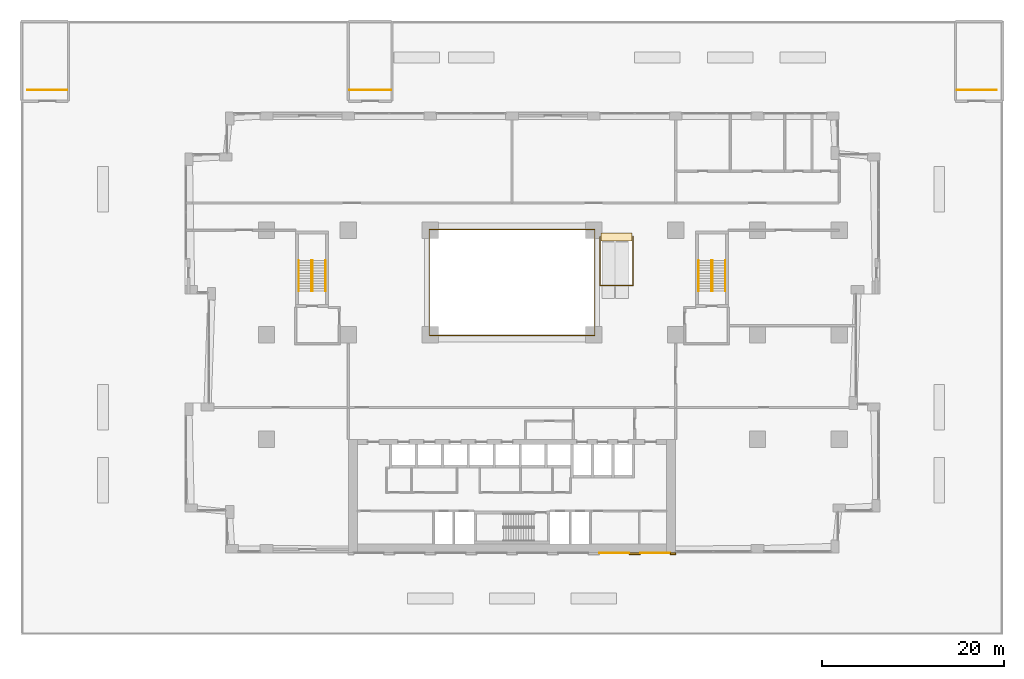
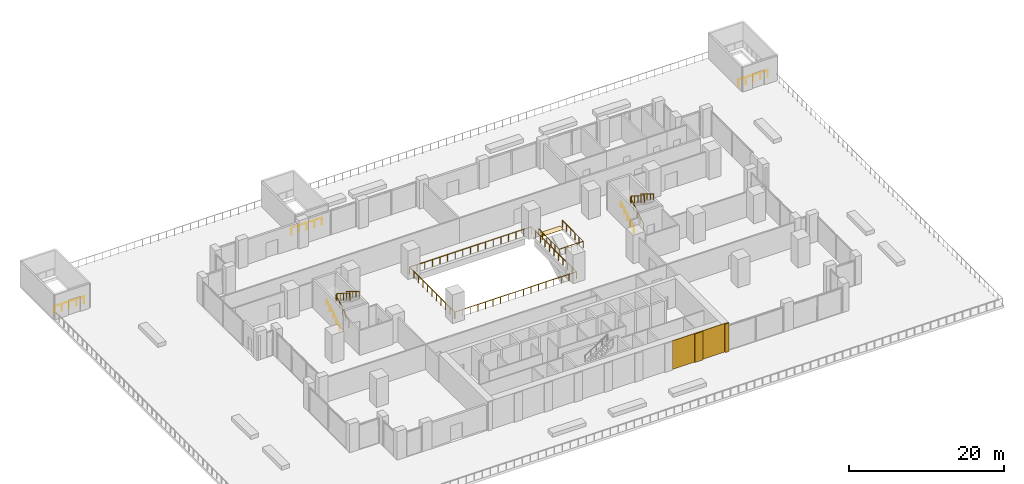
# One storey, part 18 of 19: 11 railings, 5 coverings.
"""IFC4 building model written with IfcOpenShell, lengths in metres."""

from ifc_helpers import new_model, si_unit, direction, frame, origin, origin_2d, place, context, subcontext, project, spatial, polyline, rectangle, circle, outline, extrude, material, layer, layer_set, type_object, element, save


model = new_model("IFC4")

# Units and contexts
model_context = context("Model", 3, precision=1e-05, world=origin(), true_north=direction((0.0, 1.0)))
body_context = subcontext(model_context, "Body", "Model", "MODEL_VIEW")
ifc_project = project(units=[si_unit("LENGTHUNIT", "METRE"), si_unit("AREAUNIT", "SQUARE_METRE"), si_unit("VOLUMEUNIT", "CUBIC_METRE"), si_unit("PLANEANGLEUNIT", "RADIAN"), si_unit("MASSUNIT", "GRAM", prefix="KILO")], contexts=[model_context])

# Site, building, storey
site_placement = place(None, origin())
site = spatial("IfcSite", under=ifc_project, at=site_placement, CompositionType="ELEMENT")
building_placement = place(site_placement, origin())
building = spatial("IfcBuilding", under=site, at=building_placement, Name="Brigalow Station Residences", CompositionType="ELEMENT")
storey_placement = place(building_placement, frame((0.0, 0.0, 11.0)))
storey = spatial("IfcBuildingStorey", under=building, at=storey_placement, Name="L02", CompositionType="ELEMENT", Elevation=11.0)

# Coverings
ifc_material_1 = material(Name="Clay brick masonry", Category="masonry")
ifc_layer_1 = layer(ifc_material_1, 0.06005859375)
ifc_layer_set_1 = layer_set([ifc_layer_1], Name="BRICK PANEL FACING 60")
covering_type_1 = type_object("IfcCoveringType", Name="BRICK PANEL FACING 60", PredefinedType="CLADDING", material=ifc_layer_set_1)
for number, where, z_axis, x_axis, name in (
    (1, (47.25, -0.030029296875, 0.0), (0.0, 0.0, 1.0), (1.0, 0.0, 0.0), "L02/rear-facing/panel-7"),
    (2, (51.75, -0.030029296875, 0.0), (0.0, 0.0, 1.0), (1.0, 0.0, 0.0), "L02/rear-facing/panel-8"),
):
    element("IfcCovering", number, at=place(storey_placement, frame(where, z_axis=z_axis, x_axis=x_axis)), inside=storey, type_object=covering_type_1, Name=name, PredefinedType="CLADDING", context=body_context, shape_type="SweptSolid", body=[
        extrude(rectangle(XDim=3.300048828125, YDim=0.06005859375, at=origin_2d()), origin(), (0.0, 0.0, 1.0), 4.5),
    ])
ifc_material_2 = material(Name="Clay brick masonry", Category="masonry")
ifc_layer_2 = layer(ifc_material_2, 0.199951171875)
ifc_layer_set_2 = layer_set([ifc_layer_2], Name="BRICK PIER FACING 200")
covering_type_2 = type_object("IfcCoveringType", Name="BRICK PIER FACING 200", PredefinedType="CLADDING", material=ifc_layer_set_2)
covering_1_placement = place(storey_placement, frame((49.5, -0.10009765625, 0.0), z_axis=(0.0, 0.0, 1.0), x_axis=(1.0, 0.0, 0.0)))
element("IfcCovering", 3, at=covering_1_placement, inside=storey, type_object=covering_type_2, Name="L02/rear-facing/pier-8", PredefinedType="CLADDING", context=body_context, shape_type="SweptSolid", body=[
    extrude(rectangle(XDim=1.199951171875, YDim=0.199951171875, at=origin_2d()), origin(), (0.0, 0.0, 1.0), 4.5),
])
covering_2_placement = place(storey_placement, frame((53.699951171875, -0.10009765625, 0.0), z_axis=(0.0, 0.0, 1.0), x_axis=(1.0, 0.0, 0.0)))
element("IfcCovering", 4, at=covering_2_placement, inside=storey, type_object=covering_type_2, Name="L02/rear-facing/pier-9", PredefinedType="CLADDING", context=body_context, shape_type="SweptSolid", body=[
    extrude(rectangle(XDim=0.60009765625, YDim=0.199951171875, at=origin_2d()), origin(), (0.0, 0.0, 1.0), 4.5),
])
ifc_material_3 = material(Name="Aluminium ribbed floor plate", Category="aluminium")
ifc_layer_3 = layer(ifc_material_3, 0.030029296875)
ifc_layer_set_3 = layer_set([ifc_layer_3], Name="ESCALATOR LANDING PLATE")
covering_type_3 = type_object("IfcCoveringType", Name="ESCALATOR LANDING PLATE", PredefinedType="FLOORING", material=ifc_layer_set_3)
covering_3_placement = place(storey_placement, origin())
element("IfcCovering", 5, at=covering_3_placement, inside=storey, type_object=covering_type_3, Name="Escalator landing plate", PredefinedType="FLOORING", context=body_context, shape_type="SweptSolid", body=[
    extrude(outline(polyline([(45.800048828125, 34.300048828125), (49.199951171875, 34.300048828125), (49.199951171875, 35.199951171875), (45.800048828125, 35.199951171875), (45.800048828125, 34.300048828125)])), origin(), (0.0, 0.0, 1.0), 0.030029296875),
])

# Railings
ifc_material_4 = material(Name="Stainless steel and toughened glass", Category="steel")
railing_type_1 = type_object("IfcRailingType", Name="GUARD 1100", PredefinedType="GUARDRAIL", material=ifc_material_4)
railing_1_placement = place(storey_placement, frame((45.699951171875, 34.800048828125, 0.0)))
element("IfcRailing", 6, at=railing_1_placement, inside=storey, type_object=railing_type_1, Name="Escalator well AM guard", PredefinedType="GUARDRAIL", context=body_context, shape_type="SweptSolid", body=[
    extrude(circle(Radius=0.02392578125, at=origin_2d()), frame((0.0, 0.0, 1.076171875), z_axis=(0.0, -1.0, 0.0), x_axis=(1.0, 0.0, 0.0)), (0.0, 0.0, 1.0), 5.380126953125),
    extrude(circle(Radius=0.02392578125, at=origin_2d()), frame((0.0, -5.380126953125, 1.076171875), z_axis=(1.0, 0.0, 0.0), x_axis=(0.0, 1.0, 0.0)), (0.0, 0.0, 1.0), 3.60009765625),
    extrude(circle(Radius=0.02392578125, at=origin_2d()), frame((3.60009765625, -5.380126953125, 1.076171875), z_axis=(0.0, 1.0, 0.0), x_axis=(-1.0, 0.0, 0.0)), (0.0, 0.0, 1.0), 5.380126953125),
    extrude(circle(Radius=0.02099609375, at=origin_2d()), origin(), (0.0, 0.0, 1.0), 1.052001953125),
    extrude(circle(Radius=0.02099609375, at=origin_2d()), frame((0.0, -1.075927734375, 0.0)), (0.0, 0.0, 1.0), 1.052001953125),
    extrude(circle(Radius=0.02099609375, at=origin_2d()), frame((0.0, -2.152099609375, 0.0)), (0.0, 0.0, 1.0), 1.052001953125),
    extrude(circle(Radius=0.02099609375, at=origin_2d()), frame((0.0, -3.22802734375, 0.0)), (0.0, 0.0, 1.0), 1.052001953125),
    extrude(circle(Radius=0.02099609375, at=origin_2d()), frame((0.0, -4.30419921875, 0.0)), (0.0, 0.0, 1.0), 1.052001953125),
    extrude(circle(Radius=0.02099609375, at=origin_2d()), frame((0.0, -5.380126953125, 0.0)), (0.0, 0.0, 1.0), 1.052001953125),
    extrude(circle(Radius=0.02099609375, at=origin_2d()), frame((0.89990234375, -5.380126953125, 0.0)), (0.0, 0.0, 1.0), 1.052001953125),
    extrude(circle(Radius=0.02099609375, at=origin_2d()), frame((1.800048828125, -5.380126953125, 0.0)), (0.0, 0.0, 1.0), 1.052001953125),
    extrude(circle(Radius=0.02099609375, at=origin_2d()), frame((2.7001953125, -5.380126953125, 0.0)), (0.0, 0.0, 1.0), 1.052001953125),
    extrude(circle(Radius=0.02099609375, at=origin_2d()), frame((3.60009765625, -5.380126953125, 0.0)), (0.0, 0.0, 1.0), 1.052001953125),
    extrude(circle(Radius=0.02099609375, at=origin_2d()), frame((3.60009765625, -4.30419921875, 0.0)), (0.0, 0.0, 1.0), 1.052001953125),
    extrude(circle(Radius=0.02099609375, at=origin_2d()), frame((3.60009765625, -3.22802734375, 0.0)), (0.0, 0.0, 1.0), 1.052001953125),
    extrude(circle(Radius=0.02099609375, at=origin_2d()), frame((3.60009765625, -2.152099609375, 0.0)), (0.0, 0.0, 1.0), 1.052001953125),
    extrude(circle(Radius=0.02099609375, at=origin_2d()), frame((3.60009765625, -1.075927734375, 0.0)), (0.0, 0.0, 1.0), 1.052001953125),
    extrude(circle(Radius=0.02099609375, at=origin_2d()), frame((3.60009765625, 0.0, 0.0)), (0.0, 0.0, 1.0), 1.052001953125),
])
railing_2_placement = place(storey_placement, frame((26.9599609375, 23.89990234375, 0.0)))
element("IfcRailing", 7, at=railing_2_placement, inside=storey, type_object=railing_type_1, Name="Atrium void guard", PredefinedType="GUARDRAIL", context=body_context, shape_type="SweptSolid", body=[
    extrude(circle(Radius=0.02392578125, at=origin_2d()), frame((0.0, 0.0, 1.076171875), z_axis=(1.0, 0.0, 0.0), x_axis=(0.0, 1.0, 0.0)), (0.0, 0.0, 1.0), 18.14013671875),
    extrude(circle(Radius=0.02392578125, at=origin_2d()), frame((18.14013671875, 0.0, 1.076171875), z_axis=(0.0, 1.0, 0.0), x_axis=(-1.0, 0.0, 0.0)), (0.0, 0.0, 1.0), 11.7001953125),
    extrude(circle(Radius=0.02392578125, at=origin_2d()), frame((18.14013671875, 11.7001953125, 1.076171875), z_axis=(-1.0, 0.0, 0.0), x_axis=(0.0, -1.0, 0.0)), (0.0, 0.0, 1.0), 18.2001953125),
    extrude(circle(Radius=0.02392578125, at=origin_2d()), frame((-0.06005859375, 11.7001953125, 1.076171875), z_axis=(0.0, -1.0, 0.0), x_axis=(1.0, 0.0, 0.0)), (0.0, 0.0, 1.0), 11.64013671875),
    extrude(circle(Radius=0.02099609375, at=origin_2d()), origin(), (0.0, 0.0, 1.0), 1.052001953125),
    extrude(circle(Radius=0.02099609375, at=origin_2d()), frame((1.1337890625, 0.0, 0.0)), (0.0, 0.0, 1.0), 1.052001953125),
    extrude(circle(Radius=0.02099609375, at=origin_2d()), frame((2.267578125, 0.0, 0.0)), (0.0, 0.0, 1.0), 1.052001953125),
    extrude(circle(Radius=0.02099609375, at=origin_2d()), frame((3.4013671875, 0.0, 0.0)), (0.0, 0.0, 1.0), 1.052001953125),
    extrude(circle(Radius=0.02099609375, at=origin_2d()), frame((4.53515625, 0.0, 0.0)), (0.0, 0.0, 1.0), 1.052001953125),
    extrude(circle(Radius=0.02099609375, at=origin_2d()), frame((5.668701171875, 0.0, 0.0)), (0.0, 0.0, 1.0), 1.052001953125),
    extrude(circle(Radius=0.02099609375, at=origin_2d()), frame((6.802490234375, 0.0, 0.0)), (0.0, 0.0, 1.0), 1.052001953125),
    extrude(circle(Radius=0.02099609375, at=origin_2d()), frame((7.936279296875, 0.0, 0.0)), (0.0, 0.0, 1.0), 1.052001953125),
    extrude(circle(Radius=0.02099609375, at=origin_2d()), frame((9.070068359375, 0.0, 0.0)), (0.0, 0.0, 1.0), 1.052001953125),
    extrude(circle(Radius=0.02099609375, at=origin_2d()), frame((10.203857421875, 0.0, 0.0)), (0.0, 0.0, 1.0), 1.052001953125),
    extrude(circle(Radius=0.02099609375, at=origin_2d()), frame((11.337646484375, 0.0, 0.0)), (0.0, 0.0, 1.0), 1.052001953125),
    extrude(circle(Radius=0.02099609375, at=origin_2d()), frame((12.471435546875, 0.0, 0.0)), (0.0, 0.0, 1.0), 1.052001953125),
    extrude(circle(Radius=0.02099609375, at=origin_2d()), frame((13.60498046875, 0.0, 0.0)), (0.0, 0.0, 1.0), 1.052001953125),
    extrude(circle(Radius=0.02099609375, at=origin_2d()), frame((14.73876953125, 0.0, 0.0)), (0.0, 0.0, 1.0), 1.052001953125),
    extrude(circle(Radius=0.02099609375, at=origin_2d()), frame((15.87255859375, 0.0, 0.0)), (0.0, 0.0, 1.0), 1.052001953125),
    extrude(circle(Radius=0.02099609375, at=origin_2d()), frame((17.00634765625, 0.0, 0.0)), (0.0, 0.0, 1.0), 1.052001953125),
    extrude(circle(Radius=0.02099609375, at=origin_2d()), frame((18.14013671875, 0.0, 0.0)), (0.0, 0.0, 1.0), 1.052001953125),
    extrude(circle(Radius=0.02099609375, at=origin_2d()), frame((18.14013671875, 1.169921875, 0.0)), (0.0, 0.0, 1.0), 1.052001953125),
    extrude(circle(Radius=0.02099609375, at=origin_2d()), frame((18.14013671875, 2.340087890625, 0.0)), (0.0, 0.0, 1.0), 1.052001953125),
    extrude(circle(Radius=0.02099609375, at=origin_2d()), frame((18.14013671875, 3.510009765625, 0.0)), (0.0, 0.0, 1.0), 1.052001953125),
    extrude(circle(Radius=0.02099609375, at=origin_2d()), frame((18.14013671875, 4.68017578125, 0.0)), (0.0, 0.0, 1.0), 1.052001953125),
    extrude(circle(Radius=0.02099609375, at=origin_2d()), frame((18.14013671875, 5.85009765625, 0.0)), (0.0, 0.0, 1.0), 1.052001953125),
    extrude(circle(Radius=0.02099609375, at=origin_2d()), frame((18.14013671875, 7.02001953125, 0.0)), (0.0, 0.0, 1.0), 1.052001953125),
    extrude(circle(Radius=0.02099609375, at=origin_2d()), frame((18.14013671875, 8.190185546875, 0.0)), (0.0, 0.0, 1.0), 1.052001953125),
    extrude(circle(Radius=0.02099609375, at=origin_2d()), frame((18.14013671875, 9.360107421875, 0.0)), (0.0, 0.0, 1.0), 1.052001953125),
    extrude(circle(Radius=0.02099609375, at=origin_2d()), frame((18.14013671875, 10.5302734375, 0.0)), (0.0, 0.0, 1.0), 1.052001953125),
    extrude(circle(Radius=0.02099609375, at=origin_2d()), frame((18.14013671875, 11.7001953125, 0.0)), (0.0, 0.0, 1.0), 1.052001953125),
    extrude(circle(Radius=0.02099609375, at=origin_2d()), frame((17.002685546875, 11.7001953125, 0.0)), (0.0, 0.0, 1.0), 1.052001953125),
    extrude(circle(Radius=0.02099609375, at=origin_2d()), frame((15.865234375, 11.7001953125, 0.0)), (0.0, 0.0, 1.0), 1.052001953125),
    extrude(circle(Radius=0.02099609375, at=origin_2d()), frame((14.7275390625, 11.7001953125, 0.0)), (0.0, 0.0, 1.0), 1.052001953125),
    extrude(circle(Radius=0.02099609375, at=origin_2d()), frame((13.590087890625, 11.7001953125, 0.0)), (0.0, 0.0, 1.0), 1.052001953125),
    extrude(circle(Radius=0.02099609375, at=origin_2d()), frame((12.45263671875, 11.7001953125, 0.0)), (0.0, 0.0, 1.0), 1.052001953125),
    extrude(circle(Radius=0.02099609375, at=origin_2d()), frame((11.31494140625, 11.7001953125, 0.0)), (0.0, 0.0, 1.0), 1.052001953125),
    extrude(circle(Radius=0.02099609375, at=origin_2d()), frame((10.177490234375, 11.7001953125, 0.0)), (0.0, 0.0, 1.0), 1.052001953125),
    extrude(circle(Radius=0.02099609375, at=origin_2d()), frame((9.0400390625, 11.7001953125, 0.0)), (0.0, 0.0, 1.0), 1.052001953125),
    extrude(circle(Radius=0.02099609375, at=origin_2d()), frame((7.902587890625, 11.7001953125, 0.0)), (0.0, 0.0, 1.0), 1.052001953125),
    extrude(circle(Radius=0.02099609375, at=origin_2d()), frame((6.76513671875, 11.7001953125, 0.0)), (0.0, 0.0, 1.0), 1.052001953125),
    extrude(circle(Radius=0.02099609375, at=origin_2d()), frame((5.62744140625, 11.7001953125, 0.0)), (0.0, 0.0, 1.0), 1.052001953125),
    extrude(circle(Radius=0.02099609375, at=origin_2d()), frame((4.489990234375, 11.7001953125, 0.0)), (0.0, 0.0, 1.0), 1.052001953125),
    extrude(circle(Radius=0.02099609375, at=origin_2d()), frame((3.3525390625, 11.7001953125, 0.0)), (0.0, 0.0, 1.0), 1.052001953125),
    extrude(circle(Radius=0.02099609375, at=origin_2d()), frame((2.21484375, 11.7001953125, 0.0)), (0.0, 0.0, 1.0), 1.052001953125),
    extrude(circle(Radius=0.02099609375, at=origin_2d()), frame((1.077392578125, 11.7001953125, 0.0)), (0.0, 0.0, 1.0), 1.052001953125),
    extrude(circle(Radius=0.02099609375, at=origin_2d()), frame((-0.06005859375, 11.7001953125, 0.0)), (0.0, 0.0, 1.0), 1.052001953125),
    extrude(circle(Radius=0.02099609375, at=origin_2d()), frame((-0.06005859375, 10.5361328125, 0.0)), (0.0, 0.0, 1.0), 1.052001953125),
    extrude(circle(Radius=0.02099609375, at=origin_2d()), frame((-0.06005859375, 9.3720703125, 0.0)), (0.0, 0.0, 1.0), 1.052001953125),
    extrude(circle(Radius=0.02099609375, at=origin_2d()), frame((-0.06005859375, 8.208251953125, 0.0)), (0.0, 0.0, 1.0), 1.052001953125),
    extrude(circle(Radius=0.02099609375, at=origin_2d()), frame((-0.06005859375, 7.044189453125, 0.0)), (0.0, 0.0, 1.0), 1.052001953125),
    extrude(circle(Radius=0.02099609375, at=origin_2d()), frame((-0.06005859375, 5.880126953125, 0.0)), (0.0, 0.0, 1.0), 1.052001953125),
    extrude(circle(Radius=0.02099609375, at=origin_2d()), frame((-0.06005859375, 4.716064453125, 0.0)), (0.0, 0.0, 1.0), 1.052001953125),
    extrude(circle(Radius=0.02099609375, at=origin_2d()), frame((-0.06005859375, 3.552001953125, 0.0)), (0.0, 0.0, 1.0), 1.052001953125),
    extrude(circle(Radius=0.02099609375, at=origin_2d()), frame((-0.06005859375, 2.38818359375, 0.0)), (0.0, 0.0, 1.0), 1.052001953125),
    extrude(circle(Radius=0.02099609375, at=origin_2d()), frame((-0.06005859375, 1.22412109375, 0.0)), (0.0, 0.0, 1.0), 1.052001953125),
    extrude(circle(Radius=0.02099609375, at=origin_2d()), frame((-0.06005859375, 0.06005859375, 0.0)), (0.0, 0.0, 1.0), 1.052001953125),
])
for number, where, name in (
    (8, (-17.300048828125, 50.925048828125, 0.0), "Exit stair S4 top landing guard"),
    (9, (84.925048828125, 50.925048828125, 0.0), "Exit stair S5 top landing guard"),
):
    element("IfcRailing", number, at=place(storey_placement, frame(where)), inside=storey, type_object=railing_type_1, Name=name, PredefinedType="GUARDRAIL", context=body_context, shape_type="SweptSolid", body=[
        extrude(circle(Radius=0.02392578125, at=origin_2d()), frame((0.0, 0.0, 1.076171875), z_axis=(1.0, 0.0, 0.0), x_axis=(0.0, 1.0, 0.0)), (0.0, 0.0, 1.0), 4.375),
        extrude(circle(Radius=0.02099609375, at=origin_2d()), origin(), (0.0, 0.0, 1.0), 1.052001953125),
        extrude(circle(Radius=0.02099609375, at=origin_2d()), frame((1.09375, 0.0, 0.0)), (0.0, 0.0, 1.0), 1.052001953125),
        extrude(circle(Radius=0.02099609375, at=origin_2d()), frame((2.1875, 0.0, 0.0)), (0.0, 0.0, 1.0), 1.052001953125),
        extrude(circle(Radius=0.02099609375, at=origin_2d()), frame((3.28125, 0.0, 0.0)), (0.0, 0.0, 1.0), 1.052001953125),
        extrude(circle(Radius=0.02099609375, at=origin_2d()), frame((4.375, 0.0, 0.0)), (0.0, 0.0, 1.0), 1.052001953125),
    ])
railing_3_placement = place(storey_placement, frame((18.125, 50.925048828125, 0.0)))
element("IfcRailing", 10, at=railing_3_placement, inside=storey, type_object=railing_type_1, Name="Exit stair S6 top landing guard", PredefinedType="GUARDRAIL", context=body_context, shape_type="SweptSolid", body=[
    extrude(circle(Radius=0.02392578125, at=origin_2d()), frame((0.0, 0.0, 1.076171875), z_axis=(1.0, 0.0, 0.0), x_axis=(0.0, 1.0, 0.0)), (0.0, 0.0, 1.0), 4.550048828125),
    extrude(circle(Radius=0.02099609375, at=origin_2d()), origin(), (0.0, 0.0, 1.0), 1.052001953125),
    extrude(circle(Radius=0.02099609375, at=origin_2d()), frame((1.137451171875, 0.0, 0.0)), (0.0, 0.0, 1.0), 1.052001953125),
    extrude(circle(Radius=0.02099609375, at=origin_2d()), frame((2.27490234375, 0.0, 0.0)), (0.0, 0.0, 1.0), 1.052001953125),
    extrude(circle(Radius=0.02099609375, at=origin_2d()), frame((3.41259765625, 0.0, 0.0)), (0.0, 0.0, 1.0), 1.052001953125),
    extrude(circle(Radius=0.02099609375, at=origin_2d()), frame((4.550048828125, 0.0, 0.0)), (0.0, 0.0, 1.0), 1.052001953125),
])
ifc_material_5 = material(Name="Stainless steel balustrade", Category="steel")
railing_type_2 = type_object("IfcRailingType", Name="STAIR GUARD 1100", PredefinedType="GUARDRAIL", material=ifc_material_5)
railing_4_placement = place(storey_placement, frame((13.929931640625, 28.800048828125, 0.173095703125)))
element("IfcRailing", 11, at=railing_4_placement, inside=storey, type_object=railing_type_2, Name="GUARD GR-1", PredefinedType="GUARDRAIL", context=body_context, shape_type="SweptSolid", body=[
    extrude(circle(Radius=0.02392578125, at=origin_2d()), frame((0.0, 0.0, 1.076171875), z_axis=(0.0, 0.850606129759, 0.525803396734), x_axis=(-1.0, 0.0, 0.0)), (0.0, 0.0, 1.0), 3.949951171875),
    extrude(circle(Radius=0.02392578125, at=origin_2d()), frame((0.0, 3.35986328125, 3.15283203125), z_axis=(0.62922976322, 0.0, 0.777219341678), x_axis=(0.0, 1.0, 0.0)), (0.0, 0.0, 1.0), 0.22265625),
    extrude(circle(Radius=0.02392578125, at=origin_2d()), frame((0.14013671875, 3.35986328125, 3.326171875), z_axis=(0.0, -0.850606129759, 0.525803396734), x_axis=(1.0, 0.0, 0.0)), (0.0, 0.0, 1.0), 3.949951171875),
    extrude(circle(Radius=0.02099609375, at=origin_2d()), origin(), (0.0, 0.0, 1.0), 1.052001953125),
    extrude(circle(Radius=0.02099609375, at=origin_2d()), frame((0.0, 0.83984375, 0.519287109375)), (0.0, 0.0, 1.0), 1.052001953125),
    extrude(circle(Radius=0.02099609375, at=origin_2d()), frame((0.0, 1.679931640625, 1.03857421875)), (0.0, 0.0, 1.0), 1.052001953125),
    extrude(circle(Radius=0.02099609375, at=origin_2d()), frame((0.0, 2.52001953125, 1.5576171875)), (0.0, 0.0, 1.0), 1.052001953125),
    extrude(circle(Radius=0.02099609375, at=origin_2d()), frame((0.0, 3.35986328125, 2.076904296875)), (0.0, 0.0, 1.0), 1.052001953125),
    extrude(circle(Radius=0.02099609375, at=origin_2d()), frame((0.14013671875, 3.35986328125, 2.25)), (0.0, 0.0, 1.0), 1.052001953125),
    extrude(circle(Radius=0.02099609375, at=origin_2d()), frame((0.14013671875, 2.52001953125, 2.769287109375)), (0.0, 0.0, 1.0), 1.052001953125),
    extrude(circle(Radius=0.02099609375, at=origin_2d()), frame((0.14013671875, 1.679931640625, 3.28857421875)), (0.0, 0.0, 1.0), 1.052001953125),
    extrude(circle(Radius=0.02099609375, at=origin_2d()), frame((0.14013671875, 0.83984375, 3.8076171875)), (0.0, 0.0, 1.0), 1.052001953125),
    extrude(circle(Radius=0.02099609375, at=origin_2d()), frame((0.14013671875, 0.0, 4.326904296875)), (0.0, 0.0, 1.0), 1.052001953125),
])
railing_5_placement = place(storey_placement, frame((57.929931640625, 28.800048828125, 0.173095703125)))
element("IfcRailing", 12, at=railing_5_placement, inside=storey, type_object=railing_type_2, Name="GUARD GR-3", PredefinedType="GUARDRAIL", context=body_context, shape_type="SweptSolid", body=[
    extrude(circle(Radius=0.02392578125, at=origin_2d()), frame((0.0, 0.0, 1.076171875), z_axis=(0.0, 0.850606129759, 0.525803396734), x_axis=(-1.0, 0.0, 0.0)), (0.0, 0.0, 1.0), 3.949951171875),
    extrude(circle(Radius=0.02392578125, at=origin_2d()), frame((0.0, 3.35986328125, 3.15283203125), z_axis=(0.62922976322, 0.0, 0.777219341678), x_axis=(0.0, 1.0, 0.0)), (0.0, 0.0, 1.0), 0.22265625),
    extrude(circle(Radius=0.02392578125, at=origin_2d()), frame((0.14013671875, 3.35986328125, 3.326171875), z_axis=(0.0, -0.850606129759, 0.525803396734), x_axis=(1.0, 0.0, 0.0)), (0.0, 0.0, 1.0), 3.949951171875),
    extrude(circle(Radius=0.02099609375, at=origin_2d()), origin(), (0.0, 0.0, 1.0), 1.052001953125),
    extrude(circle(Radius=0.02099609375, at=origin_2d()), frame((0.0, 0.83984375, 0.519287109375)), (0.0, 0.0, 1.0), 1.052001953125),
    extrude(circle(Radius=0.02099609375, at=origin_2d()), frame((0.0, 1.679931640625, 1.03857421875)), (0.0, 0.0, 1.0), 1.052001953125),
    extrude(circle(Radius=0.02099609375, at=origin_2d()), frame((0.0, 2.52001953125, 1.5576171875)), (0.0, 0.0, 1.0), 1.052001953125),
    extrude(circle(Radius=0.02099609375, at=origin_2d()), frame((0.0, 3.35986328125, 2.076904296875)), (0.0, 0.0, 1.0), 1.052001953125),
    extrude(circle(Radius=0.02099609375, at=origin_2d()), frame((0.14013671875, 3.35986328125, 2.25)), (0.0, 0.0, 1.0), 1.052001953125),
    extrude(circle(Radius=0.02099609375, at=origin_2d()), frame((0.14013671875, 2.52001953125, 2.769287109375)), (0.0, 0.0, 1.0), 1.052001953125),
    extrude(circle(Radius=0.02099609375, at=origin_2d()), frame((0.14013671875, 1.679931640625, 3.28857421875)), (0.0, 0.0, 1.0), 1.052001953125),
    extrude(circle(Radius=0.02099609375, at=origin_2d()), frame((0.14013671875, 0.83984375, 3.8076171875)), (0.0, 0.0, 1.0), 1.052001953125),
    extrude(circle(Radius=0.02099609375, at=origin_2d()), frame((0.14013671875, 0.0, 4.326904296875)), (0.0, 0.0, 1.0), 1.052001953125),
])
ifc_material_6 = material(Name="Stainless steel handrail", Category="steel")
railing_type_3 = type_object("IfcRailingType", Name="STAIR HANDRAIL 900", PredefinedType="HANDRAIL", material=ifc_material_6)
railing_6_placement = place(storey_placement, frame((12.5400390625, 28.800048828125, 0.173095703125)))
element("IfcRailing", 13, at=railing_6_placement, inside=storey, type_object=railing_type_3, Name="HANDRAIL HR-11", PredefinedType="HANDRAIL", context=body_context, shape_type="SweptSolid", body=[
    extrude(circle(Radius=0.02392578125, at=origin_2d()), frame((0.0, 0.0, 0.8759765625), z_axis=(0.0, 0.850606129759, 0.525803396734), x_axis=(-1.0, 0.0, 0.0)), (0.0, 0.0, 1.0), 3.949951171875),
    extrude(circle(Radius=0.02099609375, at=origin_2d()), origin(), (0.0, 0.0, 1.0), 0.851806640625),
    extrude(circle(Radius=0.02099609375, at=origin_2d()), frame((0.0, 0.83984375, 0.519287109375)), (0.0, 0.0, 1.0), 0.851806640625),
    extrude(circle(Radius=0.02099609375, at=origin_2d()), frame((0.0, 1.679931640625, 1.03857421875)), (0.0, 0.0, 1.0), 0.851806640625),
    extrude(circle(Radius=0.02099609375, at=origin_2d()), frame((0.0, 2.52001953125, 1.5576171875)), (0.0, 0.0, 1.0), 0.851806640625),
    extrude(circle(Radius=0.02099609375, at=origin_2d()), frame((0.0, 3.35986328125, 2.076904296875)), (0.0, 0.0, 1.0), 0.851806640625),
])
railing_7_placement = place(storey_placement, frame((15.4599609375, 32.159912109375, 2.423095703125)))
element("IfcRailing", 14, at=railing_7_placement, inside=storey, type_object=railing_type_3, Name="HANDRAIL HR-12", PredefinedType="HANDRAIL", context=body_context, shape_type="SweptSolid", body=[
    extrude(circle(Radius=0.02392578125, at=origin_2d()), frame((0.0, 0.0, 0.8759765625), z_axis=(0.0, -0.850606129759, 0.525803396734), x_axis=(1.0, 0.0, 0.0)), (0.0, 0.0, 1.0), 3.949951171875),
    extrude(circle(Radius=0.02099609375, at=origin_2d()), origin(), (0.0, 0.0, 1.0), 0.851806640625),
    extrude(circle(Radius=0.02099609375, at=origin_2d()), frame((0.0, -0.83984375, 0.519287109375)), (0.0, 0.0, 1.0), 0.851806640625),
    extrude(circle(Radius=0.02099609375, at=origin_2d()), frame((0.0, -1.679931640625, 1.03857421875)), (0.0, 0.0, 1.0), 0.851806640625),
    extrude(circle(Radius=0.02099609375, at=origin_2d()), frame((0.0, -2.52001953125, 1.5576171875)), (0.0, 0.0, 1.0), 0.851806640625),
    extrude(circle(Radius=0.02099609375, at=origin_2d()), frame((0.0, -3.35986328125, 2.076904296875)), (0.0, 0.0, 1.0), 0.851806640625),
])
railing_8_placement = place(storey_placement, frame((56.5400390625, 28.800048828125, 0.173095703125)))
element("IfcRailing", 15, at=railing_8_placement, inside=storey, type_object=railing_type_3, Name="HANDRAIL HR-31", PredefinedType="HANDRAIL", context=body_context, shape_type="SweptSolid", body=[
    extrude(circle(Radius=0.02392578125, at=origin_2d()), frame((0.0, 0.0, 0.8759765625), z_axis=(0.0, 0.850606129759, 0.525803396734), x_axis=(-1.0, 0.0, 0.0)), (0.0, 0.0, 1.0), 3.949951171875),
    extrude(circle(Radius=0.02099609375, at=origin_2d()), origin(), (0.0, 0.0, 1.0), 0.851806640625),
    extrude(circle(Radius=0.02099609375, at=origin_2d()), frame((0.0, 0.83984375, 0.519287109375)), (0.0, 0.0, 1.0), 0.851806640625),
    extrude(circle(Radius=0.02099609375, at=origin_2d()), frame((0.0, 1.679931640625, 1.03857421875)), (0.0, 0.0, 1.0), 0.851806640625),
    extrude(circle(Radius=0.02099609375, at=origin_2d()), frame((0.0, 2.52001953125, 1.5576171875)), (0.0, 0.0, 1.0), 0.851806640625),
    extrude(circle(Radius=0.02099609375, at=origin_2d()), frame((0.0, 3.35986328125, 2.076904296875)), (0.0, 0.0, 1.0), 0.851806640625),
])
railing_9_placement = place(storey_placement, frame((59.4599609375, 32.159912109375, 2.423095703125)))
element("IfcRailing", 16, at=railing_9_placement, inside=storey, type_object=railing_type_3, Name="HANDRAIL HR-32", PredefinedType="HANDRAIL", context=body_context, shape_type="SweptSolid", body=[
    extrude(circle(Radius=0.02392578125, at=origin_2d()), frame((0.0, 0.0, 0.8759765625), z_axis=(0.0, -0.850606129759, 0.525803396734), x_axis=(1.0, 0.0, 0.0)), (0.0, 0.0, 1.0), 3.949951171875),
    extrude(circle(Radius=0.02099609375, at=origin_2d()), origin(), (0.0, 0.0, 1.0), 0.851806640625),
    extrude(circle(Radius=0.02099609375, at=origin_2d()), frame((0.0, -0.83984375, 0.519287109375)), (0.0, 0.0, 1.0), 0.851806640625),
    extrude(circle(Radius=0.02099609375, at=origin_2d()), frame((0.0, -1.679931640625, 1.03857421875)), (0.0, 0.0, 1.0), 0.851806640625),
    extrude(circle(Radius=0.02099609375, at=origin_2d()), frame((0.0, -2.52001953125, 1.5576171875)), (0.0, 0.0, 1.0), 0.851806640625),
    extrude(circle(Radius=0.02099609375, at=origin_2d()), frame((0.0, -3.35986328125, 2.076904296875)), (0.0, 0.0, 1.0), 0.851806640625),
])

save(model, "model.ifc")
